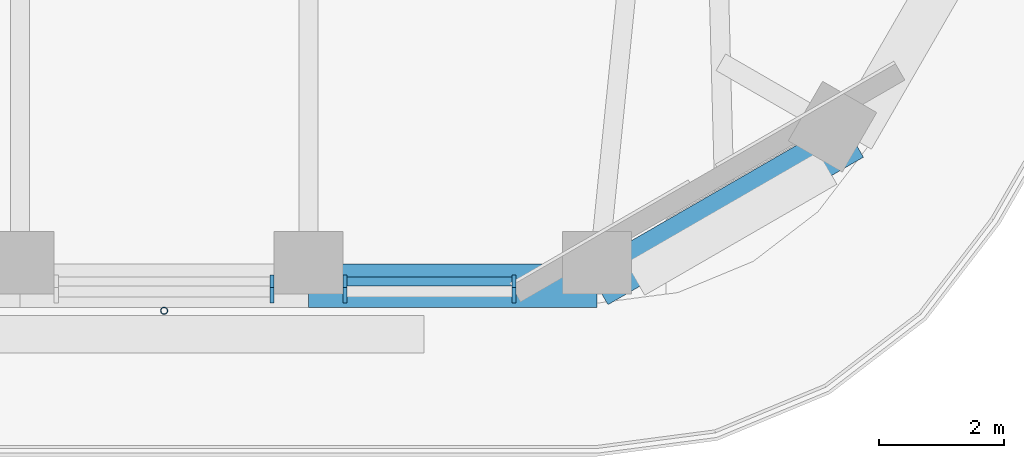
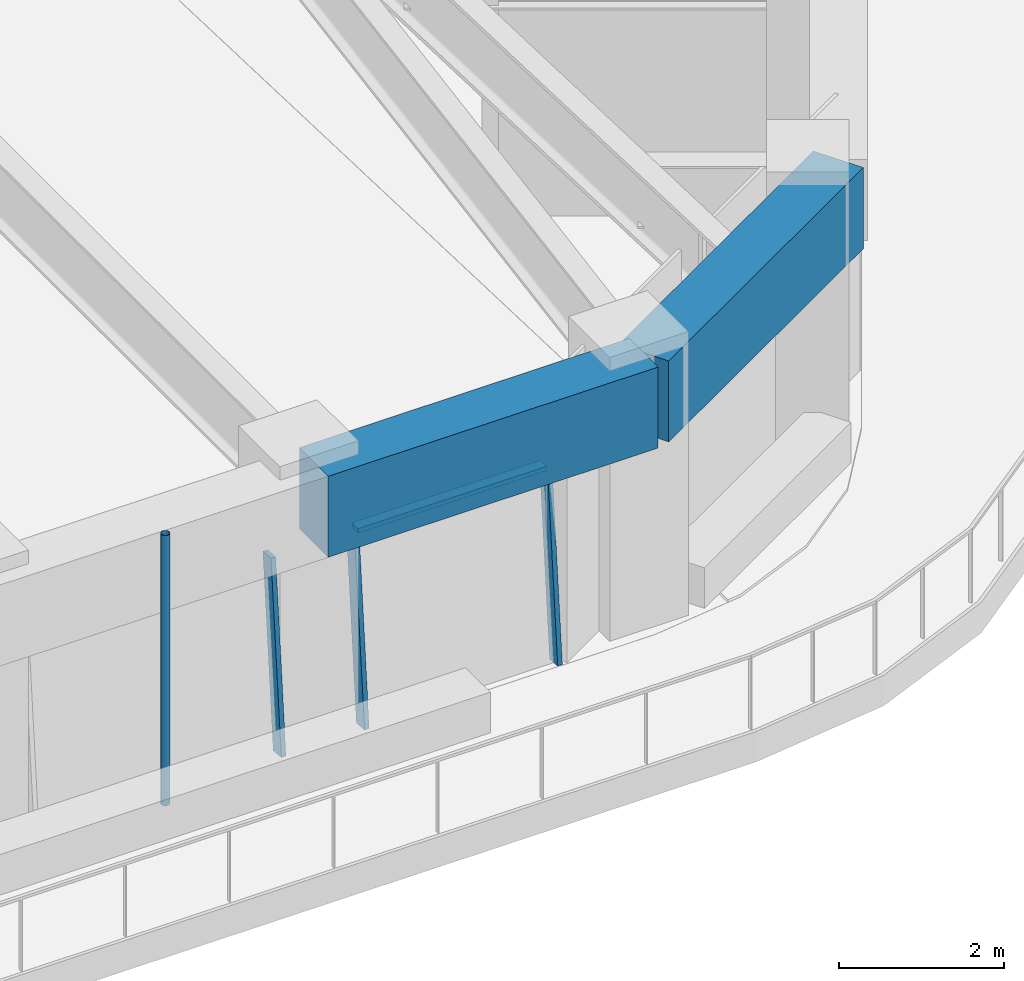
# One storey, part 4 of 20: 5 members, 2 beams, 2 elements without a shape of their own.
"""IFC4 building model written with IfcOpenShell, lengths in metres."""

from ifc_helpers import new_model, si_unit, direction, frame, origin, origin_2d, place, context, subcontext, project, spatial, rectangle, hollow_circle, extrude, material, material_profile, profile_set, type_object, element, aggregate, save


model = new_model("IFC4")

# Units and contexts
model_context = context("Model", 3, precision=1e-05, world=origin(), true_north=direction((0.0, 1.0)))
body_context = subcontext(model_context, "Body", "Model", "MODEL_VIEW")
ifc_project = project(units=[si_unit("LENGTHUNIT", "METRE"), si_unit("AREAUNIT", "SQUARE_METRE"), si_unit("VOLUMEUNIT", "CUBIC_METRE"), si_unit("PLANEANGLEUNIT", "RADIAN"), si_unit("MASSUNIT", "GRAM", prefix="KILO")], contexts=[model_context])

# Site, building, storey
site_placement = place(None, origin())
site = spatial("IfcSite", under=ifc_project, at=site_placement, CompositionType="ELEMENT")
building_placement = place(site_placement, origin())
building = spatial("IfcBuilding", under=site, at=building_placement, Name="Tarfa Lantern Tower", CompositionType="ELEMENT")
storey_placement = place(building_placement, frame((0.0, 0.0, 278.5)))
storey = spatial("IfcBuildingStorey", under=building, at=storey_placement, Name="L63", CompositionType="ELEMENT", Elevation=278.5)

# Curtain wall, member
ifc_material_1 = material(Name="Aluminium framed curtain wall", Category="aluminium")
curtain_wall_type = type_object("IfcCurtainWallType", Name="CW3 CANTED GLAZING HIGH ZONE 2800", PredefinedType="USERDEFINED", material=ifc_material_1)
curtain_wall_1_placement = place(storey_placement, origin())
curtain_wall_1 = element("IfcCurtainWall", 1, at=curtain_wall_1_placement, inside=storey, type_object=curtain_wall_type, Name="CW3 S L63", ObjectType="CURTAIN WALL", PredefinedType="USERDEFINED")
ifc_material_2 = material(Name="Aluminium mullion", Category="aluminium")
ifc_material_profile_1 = material_profile(ifc_material_2, rectangle(XDim=0.06494140625, YDim=0.199951171875, at=origin_2d()), Name="AL MULLION 65x200")
ifc_profile_set_1 = profile_set([ifc_material_profile_1], Name="Aluminium mullion")
member_type_1 = type_object("IfcMemberType", Name="CWM1 MULLION 65x200", PredefinedType="MULLION", material=ifc_profile_set_1)
member_1_placement = place(storey_placement, frame((8.655029296875, -28.89990234375, 0.0), z_axis=(0.0, 0.088930399417, 0.996037842685), x_axis=(-1.0, 0.0, 0.0)))
member_1 = element("IfcMember", 2, at=member_1_placement, type_object=member_type_1, Name="CW3 mullion 2", PredefinedType="MULLION", context=body_context, shape_type="SweptSolid", body=[
    extrude(rectangle(XDim=0.06494140625, YDim=0.199951171875, at=origin_2d()), origin(), (0.0, 0.0, 1.0), 2.811279296875),
])
aggregate(curtain_wall_1, [member_1])

# Curtain wall, members
curtain_wall_2_placement = place(storey_placement, origin())
curtain_wall_2 = element("IfcCurtainWall", 3, at=curtain_wall_2_placement, inside=storey, type_object=curtain_wall_type, Name="CW3 S L63", ObjectType="CURTAIN WALL", PredefinedType="USERDEFINED")
member_2_placement = place(storey_placement, frame((9.820068359375, -28.89990234375, 0.0), z_axis=(0.0, 0.088930399417, 0.996037842685), x_axis=(-1.0, 0.0, 0.0)))
member_2 = element("IfcMember", 4, at=member_2_placement, type_object=member_type_1, Name="CW3 mullion 1", PredefinedType="MULLION", context=body_context, shape_type="SweptSolid", body=[
    extrude(rectangle(XDim=0.06494140625, YDim=0.199951171875, at=origin_2d()), origin(), (0.0, 0.0, 1.0), 2.811279296875),
])
member_3_placement = place(storey_placement, frame((12.52392578125, -28.89990234375, 0.0), z_axis=(0.0, 0.088930399417, 0.996037842685), x_axis=(-1.0, 0.0, 0.0)))
member_3 = element("IfcMember", 5, at=member_3_placement, type_object=member_type_1, Name="CW3 mullion 2", PredefinedType="MULLION", context=body_context, shape_type="SweptSolid", body=[
    extrude(rectangle(XDim=0.06494140625, YDim=0.199951171875, at=origin_2d()), origin(), (0.0, 0.0, 1.0), 2.811279296875),
])
ifc_material_3 = material(Name="Aluminium transom", Category="aluminium")
ifc_material_profile_2 = material_profile(ifc_material_3, rectangle(XDim=0.14990234375, YDim=0.06494140625, at=origin_2d()), Name="AL TRANSOM 150x65")
ifc_profile_set_2 = profile_set([ifc_material_profile_2], Name="Aluminium transom")
member_type_2 = type_object("IfcMemberType", Name="CWT1 TRANSOM 150x65", PredefinedType="USERDEFINED", material=ifc_profile_set_2)
member_4_placement = place(storey_placement, frame((9.8525390625, -28.65283203125, 2.767578125), z_axis=(1.0, 0.0, 0.0), x_axis=(0.0, 1.0, 0.0)))
member_4 = element("IfcMember", 6, at=member_4_placement, type_object=member_type_2, Name="CW3 transom 1.2", ObjectType="TRANSOM", PredefinedType="USERDEFINED", context=body_context, shape_type="SweptSolid", body=[
    extrude(rectangle(XDim=0.14990234375, YDim=0.06494140625, at=origin_2d()), origin(), (0.0, 0.0, 1.0), 2.638916015625),
])
aggregate(curtain_wall_2, [member_2, member_3, member_4])

# Beams
ifc_material_4 = material(Name="Concrete C80/95", Category="concrete")
ifc_material_profile_3 = material_profile(ifc_material_4, rectangle(XDim=0.699951171875, YDim=1.199951171875, at=origin_2d()), Name="RC 700x1200")
ifc_profile_set_3 = profile_set([ifc_material_profile_3], Name="Concrete C80/95")
beam_type = type_object("IfcBeamType", Name="EB3 RC 700x1200", PredefinedType="SPANDREL", material=ifc_profile_set_3)
beam_1_placement = place(storey_placement, frame((9.237548828125, -28.719970703125, 3.39990234375), z_axis=(1.0, 0.0, 0.0), x_axis=(0.0, 1.0, 0.0)))
element("IfcBeam", 7, at=beam_1_placement, inside=storey, type_object=beam_type, Name="Edge beam S5", PredefinedType="SPANDREL", context=body_context, shape_type="SweptSolid", body=[
    extrude(rectangle(XDim=0.699951171875, YDim=1.199951171875, at=origin_2d()), origin(), (0.0, 0.0, 1.0), 4.618896484375),
])
beam_2_placement = place(storey_placement, frame((13.8564453125, -28.719970703125, 3.39990234375), z_axis=(0.866038294681, 0.499977671647, 0.0), x_axis=(-0.499977671647, 0.866038294681, 0.0)))
element("IfcBeam", 8, at=beam_2_placement, inside=storey, type_object=beam_type, Name="Edge beam S6", PredefinedType="SPANDREL", context=body_context, shape_type="SweptSolid", body=[
    extrude(rectangle(XDim=0.699951171875, YDim=1.199951171875, at=origin_2d()), origin(), (0.0, 0.0, 1.0), 4.719970703125),
])

# Member
ifc_material_5 = material(Name="Steel S355", Category="steel")
ifc_material_profile_4 = material_profile(ifc_material_5, hollow_circle(Radius=0.05712890625, WallThickness=0.00634765625, at=origin_2d()), Name="CHS114.3x6.3")
ifc_profile_set_4 = profile_set([ifc_material_profile_4], Name="Steel S355")
member_type_3 = type_object("IfcMemberType", Name="TR1 GREEN WALL TRELLIS CHS114.3x6.3", PredefinedType="USERDEFINED", material=ifc_profile_set_4)
member_5_placement = place(storey_placement, frame((6.92822265625, -29.1201171875, 0.0), z_axis=(0.0, 0.0, 1.0), x_axis=(1.0, 0.0, 0.0)))
element("IfcMember", 9, at=member_5_placement, inside=storey, type_object=member_type_3, Name="Trellis post S 2", ObjectType="TRELLIS", PredefinedType="USERDEFINED", context=body_context, shape_type="SweptSolid", body=[
    extrude(hollow_circle(Radius=0.05712890625, WallThickness=0.00634765625, at=origin_2d()), origin(), (0.0, 0.0, 1.0), 4.0),
])

save(model, "model.ifc")
